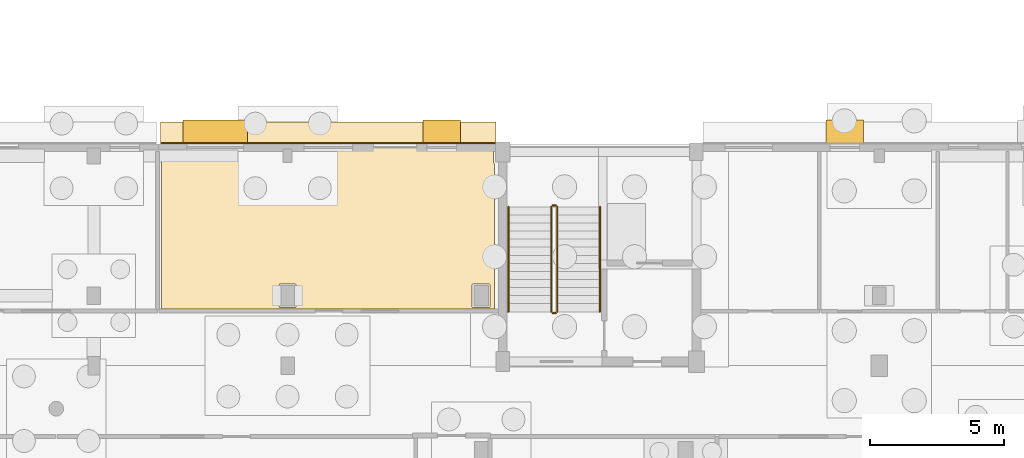
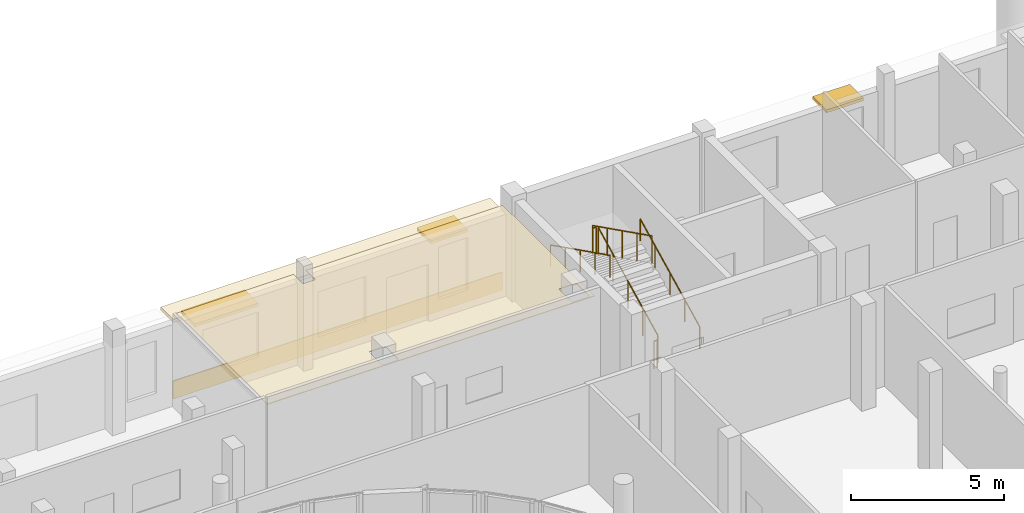
# One storey, part 87 of 93: 6 railings, 3 coverings, 3 shading devices.
"""IFC4 building model written with IfcOpenShell, lengths in metres."""

import ifcopenshell
import ifcopenshell.guid

model = None  # the IFC model being written
_history = None  # IfcOwnerHistory: only IFC2X3 demands one
_inside = {}  # id of a spatial element -> (the spatial element, [elements in it])
_under = {}  # id of a project, library or spatial element -> (it, [spatial elements below it])
_declared = {}  # id of a project -> (the project, [libraries it declares])
_typed = {}  # id of a type object -> (the type object, [elements of that type])
_made_of = {}  # id of a material, layer set ... -> (it, [elements and type objects made of it])


def new_model(schema):
    """Start an empty IFC model of exactly this schema.

    Asked for "IFC4X3", IfcOpenShell would pick the latest addendum, in which some entities
    have other attributes; the version numbers below select the first issue.
    IFC2X3 requires an IfcOwnerHistory on every rooted entity: one is made here for all.
    """
    global model, _history
    if schema == "IFC4X3":
        model = ifcopenshell.file(schema_version=(4, 3, 0, 0))
    else:
        model = ifcopenshell.file(schema=schema)
    _inside.clear()
    _under.clear()
    _declared.clear()
    _typed.clear()
    _made_of.clear()
    _history = None
    if model.schema == "IFC2X3":
        org = make("IfcOrganization", Name="unknown")
        user = make(
            "IfcPersonAndOrganization",
            ThePerson=make("IfcPerson", FamilyName="unknown"),
            TheOrganization=org,
        )
        app = make(
            "IfcApplication",
            ApplicationDeveloper=org,
            Version="unknown",
            ApplicationFullName="unknown",
            ApplicationIdentifier="unknown",
        )
        _history = make(
            "IfcOwnerHistory",
            OwningUser=user,
            OwningApplication=app,
            ChangeAction="ADDED",
            CreationDate=0,
        )
    return model


def make(cls, **values):
    """One entity of the class cls with the attributes given. An attribute that is None is left unset."""
    return model.create_entity(
        cls, **{name: value for name, value in values.items() if value is not None}
    )


def rooted(cls, **values):
    """An entity with a GlobalId (a new one), such as an element, a storey or a relation."""
    return make(cls, GlobalId=ifcopenshell.guid.new(), OwnerHistory=_history, **values)


def si_unit(unit_type, name, prefix=None):
    """IfcSIUnit, for example si_unit("LENGTHUNIT", "METRE", prefix="MILLI")."""
    return make("IfcSIUnit", UnitType=unit_type, Prefix=prefix, Name=name)


def assignment(units):
    """IfcUnitAssignment: the units of a project."""
    return None if units is None else make("IfcUnitAssignment", Units=units)


def point(xyz):
    """IfcCartesianPoint."""
    return None if xyz is None else make("IfcCartesianPoint", Coordinates=xyz)


def direction(xyz):
    """IfcDirection."""
    return None if xyz is None else make("IfcDirection", DirectionRatios=xyz)


def frame(location, z_axis=None, x_axis=None):
    """IfcAxis2Placement3D, a coordinate frame: its origin and axes. An axis left out is left unset."""
    return make(
        "IfcAxis2Placement3D",
        Location=point(location),
        Axis=direction(z_axis),
        RefDirection=direction(x_axis),
    )


def frame_2d(location, x_axis=None):
    """IfcAxis2Placement2D, a coordinate frame in the plane: its origin and x axis."""
    return make(
        "IfcAxis2Placement2D", Location=point(location), RefDirection=direction(x_axis)
    )


def origin():
    """The frame at (0, 0, 0) with its axes left unset."""
    return frame((0.0, 0.0, 0.0))


def origin_2d():
    """The frame at (0, 0) in the plane with its x axis left unset."""
    return frame_2d((0.0, 0.0))


def place(relative_to, where):
    """IfcLocalPlacement: puts the frame where relative to a parent placement (None: the world)."""
    return make(
        "IfcLocalPlacement", PlacementRelTo=relative_to, RelativePlacement=where
    )


def context(
    kind, dimensions, precision=None, world=None, true_north=None, identifier=None
):
    """IfcGeometricRepresentationContext, for example the 3D "Model" context."""
    return make(
        "IfcGeometricRepresentationContext",
        ContextIdentifier=identifier,
        ContextType=kind,
        CoordinateSpaceDimension=dimensions,
        Precision=precision,
        WorldCoordinateSystem=world,
        TrueNorth=true_north,
    )


def subcontext(parent, identifier, kind, view, scale=None):
    """IfcGeometricRepresentationSubContext, for example "Body" below "Model"."""
    return make(
        "IfcGeometricRepresentationSubContext",
        ContextIdentifier=identifier,
        ContextType=kind,
        ParentContext=parent,
        TargetScale=scale,
        TargetView=view,
    )


def project(units=None, contexts=None):
    """IfcProject with its units and contexts."""
    return rooted(
        "IfcProject",
        Name="project",
        RepresentationContexts=contexts,
        UnitsInContext=assignment(units),
    )


def spatial(cls, under=None, at=None, **own):
    """A site, building, storey or space (cls), placed at a placement, below another one or the project."""
    s = rooted(cls, ObjectPlacement=at, **own)
    if under is not None:
        _under.setdefault(under.id(), (under, []))[1].append(s)
    return s


def polyline(points):
    """IfcPolyline through the points."""
    return make("IfcPolyline", Points=[point(p) for p in points])


def profile(cls, at=None, kind="AREA", **sizes):
    """A parametric profile (cls). Its sizes go by their IFC names, for example OverallWidth=200.0."""
    return make(cls, ProfileType=kind, Position=at, **sizes)


def rectangle(**sizes):
    """IfcRectangleProfileDef."""
    return profile("IfcRectangleProfileDef", **sizes)


def circle(**sizes):
    """IfcCircleProfileDef."""
    return profile("IfcCircleProfileDef", **sizes)


def outline(outer, holes=None, kind="AREA"):
    """IfcArbitraryClosedProfileDef: a profile drawn as a closed curve; with holes, ...WithVoids."""
    if holes is None:
        return make("IfcArbitraryClosedProfileDef", ProfileType=kind, OuterCurve=outer)
    return make(
        "IfcArbitraryProfileDefWithVoids",
        ProfileType=kind,
        OuterCurve=outer,
        InnerCurves=holes,
    )


def extrude(swept, where, along, depth):
    """IfcExtrudedAreaSolid: the profile swept, set in the frame where, extruded along a direction by depth."""
    return make(
        "IfcExtrudedAreaSolid",
        SweptArea=swept,
        Position=where,
        ExtrudedDirection=direction(along),
        Depth=depth,
    )


def shape(context_of_items, identifier, shape_type, items):
    """IfcShapeRepresentation: the items that make up one representation, for example the "Body"."""
    return make(
        "IfcShapeRepresentation",
        ContextOfItems=context_of_items,
        RepresentationIdentifier=identifier,
        RepresentationType=shape_type,
        Items=items,
    )


def material(Name=None, Category=None):
    """IfcMaterial."""
    return make("IfcMaterial", Name=Name, Category=Category)


def layer(
    of_material, thickness, ventilated=None, Name=None, Category=None, Priority=None
):
    """IfcMaterialLayer: one layer of a wall or slab, of a material (None: an air gap)."""
    return make(
        "IfcMaterialLayer",
        Material=of_material,
        LayerThickness=thickness,
        IsVentilated=ventilated,
        Name=Name,
        Category=Category,
        Priority=Priority,
    )


def layer_set(layers, Name=None):
    """IfcMaterialLayerSet."""
    return make("IfcMaterialLayerSet", MaterialLayers=layers, LayerSetName=Name)


def made_of(thing, what):
    """Note that an element or type object is made of a material, layer set ...; save() writes the relation."""
    if what is not None:
        _made_of.setdefault(what.id(), (what, []))[1].append(thing)
    return thing


def type_object(cls, material=None, **own):
    """A type object (cls), such as IfcWallType, which elements share."""
    return made_of(rooted(cls, **own), material)


def element(
    cls,
    number,
    at=None,
    inside=None,
    cuts=None,
    type_object=None,
    material=None,
    context=None,
    identifier="Body",
    shape_type=None,
    held_by="IfcProductDefinitionShape",
    body=None,
    shapes=None,
    **own,
):
    """One element of the class cls, such as IfcWall. Its Tag is "e" and its number.

    at: its placement. inside: the storey or other place that contains it. cuts: it is an
    opening in that element (IfcRelVoidsElement). A single representation is given by context,
    identifier, shape_type and body (its items); several are given by shapes. held_by: the class
    of the entity that holds the representations. save() writes the other relations.
    """
    e = rooted(cls, Tag="e%d" % number, ObjectPlacement=at, **own)
    if body is not None:
        shapes = [shape(context, identifier, shape_type, body)]
    if shapes is not None:
        e.Representation = make(held_by, Representations=shapes)
    if inside is not None:
        _inside.setdefault(inside.id(), (inside, []))[1].append(e)
    if cuts is not None:
        rooted(
            "IfcRelVoidsElement", RelatingBuildingElement=cuts, RelatedOpeningElement=e
        )
    if type_object is not None:
        _typed.setdefault(type_object.id(), (type_object, []))[1].append(e)
    return made_of(e, material)


def aggregate(whole, parts):
    """IfcRelAggregates: a whole, such as a stair, and the parts it consists of."""
    return rooted("IfcRelAggregates", RelatingObject=whole, RelatedObjects=parts)


def save(model, path):
    """Write the relations noted so far, then the file.

    IfcRelAggregates (storeys below a building ...), IfcRelContainedInSpatialStructure (elements
    in a storey), IfcRelDefinesByType, IfcRelAssociatesMaterial and IfcRelDeclares: one each for
    every whole, place, type object, material and project.
    """
    for whole, parts in _under.values():
        aggregate(whole, parts)
    for where, things in _inside.values():
        rooted(
            "IfcRelContainedInSpatialStructure",
            RelatedElements=things,
            RelatingStructure=where,
        )
    for kind, things in _typed.values():
        rooted("IfcRelDefinesByType", RelatedObjects=things, RelatingType=kind)
    for what, things in _made_of.values():
        rooted("IfcRelAssociatesMaterial", RelatedObjects=things, RelatingMaterial=what)
    for by, libraries in _declared.values():
        rooted("IfcRelDeclares", RelatingContext=by, RelatedDefinitions=libraries)
    model.write(path)


model = new_model("IFC4")

# Units and contexts
model_context = context("Model", 3, precision=1e-05, world=origin(), true_north=direction((0.0, 1.0)))
body_context = subcontext(model_context, "Body", "Model", "MODEL_VIEW")
ifc_project = project(units=[si_unit("LENGTHUNIT", "METRE"), si_unit("AREAUNIT", "SQUARE_METRE"), si_unit("VOLUMEUNIT", "CUBIC_METRE"), si_unit("PLANEANGLEUNIT", "RADIAN"), si_unit("MASSUNIT", "GRAM", prefix="KILO")], contexts=[model_context])

# Site, building, storey
site_placement = place(None, origin())
site = spatial("IfcSite", under=ifc_project, at=site_placement, CompositionType="ELEMENT")
building_placement = place(site_placement, origin())
building = spatial("IfcBuilding", under=site, at=building_placement, Name="Kelanivale Promenade Academy", CompositionType="ELEMENT")
storey_placement = place(building_placement, origin())
storey = spatial("IfcBuildingStorey", under=building, at=storey_placement, Name="L00", CompositionType="ELEMENT", Elevation=0.0)

# Coverings
ifc_material_1 = material(Name="Warm ivory Art Deco stucco frieze band 40 mm", Category="masonry")
ifc_layer_1 = layer(ifc_material_1, 0.0400390625)
ifc_layer_set_1 = layer_set([ifc_layer_1], Name="Warm ivory Art Deco stucco frieze band 40 mm")
covering_type_1 = type_object("IfcCoveringType", Name="COV-CLD2 Warm ivory Art Deco stucco frieze ba", PredefinedType="CLADDING", material=ifc_layer_set_1)
covering_1_placement = place(storey_placement, frame((73.51708984375, 80.25, 3.115234375), z_axis=(0.0, 0.0, 1.0), x_axis=(-1.0, 0.0, 0.0)))
element("IfcCovering", 1, at=covering_1_placement, inside=storey, type_object=covering_type_1, Name="Art Deco projecting 820 mm streamline sunshade eyebrow ledge", PredefinedType="CLADDING", context=body_context, shape_type="SweptSolid", body=[
    extrude(rectangle(XDim=12.47509765625, YDim=0.820068359375, at=origin_2d()), origin(), (0.0, 0.0, 1.0), 0.139892578125),
])
covering_2_placement = place(storey_placement, frame((73.51708984375, 79.864990234375, 0.06005859375), z_axis=(0.0, 0.0, 1.0), x_axis=(-1.0, 0.0, 0.0)))
element("IfcCovering", 2, at=covering_2_placement, inside=storey, type_object=covering_type_1, Name="Art Deco ivory stucco sill frieze band", PredefinedType="CLADDING", context=body_context, shape_type="SweptSolid", body=[
    extrude(rectangle(XDim=12.47509765625, YDim=0.0400390625, at=origin_2d()), origin(), (0.0, 0.0, 1.0), 0.719970703125),
])
ifc_material_2 = material(Name="Acoustic mineral-fibre ceiling tile 25 mm", Category="gypsum")
ifc_layer_2 = layer(ifc_material_2, 0.02490234375)
ifc_layer_set_2 = layer_set([ifc_layer_2], Name="Acoustic mineral-fibre ceiling tile 25 mm")
covering_type_2 = type_object("IfcCoveringType", Name="COV-CLG1 Acoustic mineral-fibre ceiling tile ", PredefinedType="CEILING", material=ifc_layer_set_2)
covering_3_placement = place(storey_placement, frame((0.0, 0.0, 3.550048828125)))
element("IfcCovering", 3, at=covering_3_placement, inside=storey, type_object=covering_type_2, Name="Junior Classroom North 2 acoustic suspended ceiling", PredefinedType="CEILING", context=body_context, shape_type="SweptSolid", body=[
    extrude(outline(polyline([(79.68994140625, 73.7099609375), (79.68994140625, 79.117919921875), (79.68994140625, 79.117919921875), (79.68603515625, 79.1201171875), (79.68310546875, 79.1220703125), (79.679931640625, 79.1240234375), (79.677001953125, 79.126953125), (79.674072265625, 79.1298828125), (79.672119140625, 79.133056640625), (79.669921875, 79.135986328125), (79.66796875, 79.139892578125), (79.6669921875, 79.14306640625), (79.666015625, 79.14697265625), (79.6650390625, 79.15087890625), (79.6650390625, 79.155029296875), (79.6650390625, 79.699951171875), (72.220947265625, 79.699951171875), (72.222900390625, 79.697998046875), (72.22607421875, 79.695068359375), (72.22802734375, 79.69189453125), (72.22998046875, 79.68896484375), (72.23193359375, 79.68505859375), (72.23291015625, 79.681884765625), (72.23388671875, 79.677978515625), (72.235107421875, 79.674072265625), (72.235107421875, 79.669921875), (72.235107421875, 79.1298828125), (72.235107421875, 79.1259765625), (72.23388671875, 79.1220703125), (72.23291015625, 79.117919921875), (72.23193359375, 79.114990234375), (72.22998046875, 79.111083984375), (72.22802734375, 79.10791015625), (72.22607421875, 79.10498046875), (72.222900390625, 79.10205078125), (72.219970703125, 79.09912109375), (72.217041015625, 79.096923828125), (72.214111328125, 79.094970703125), (72.2099609375, 79.093017578125), (72.20703125, 79.092041015625), (72.202880859375, 79.091064453125), (72.198974609375, 79.090087890625), (72.195068359375, 79.090087890625), (71.804931640625, 79.090087890625), (71.801025390625, 79.090087890625), (71.797119140625, 79.091064453125), (71.79296875, 79.092041015625), (71.7900390625, 79.093017578125), (71.785888671875, 79.094970703125), (71.782958984375, 79.096923828125), (71.780029296875, 79.09912109375), (71.777099609375, 79.10205078125), (71.77392578125, 79.10498046875), (71.77197265625, 79.10791015625), (71.77001953125, 79.111083984375), (71.76806640625, 79.114990234375), (71.76708984375, 79.117919921875), (71.76611328125, 79.1220703125), (71.764892578125, 79.1259765625), (71.764892578125, 79.1298828125), (71.764892578125, 79.669921875), (71.764892578125, 79.674072265625), (71.76611328125, 79.677978515625), (71.76708984375, 79.681884765625), (71.76806640625, 79.68505859375), (71.77001953125, 79.68896484375), (71.77197265625, 79.69189453125), (71.77392578125, 79.695068359375), (71.777099609375, 79.697998046875), (71.779052734375, 79.699951171875), (67.31005859375, 79.699951171875), (67.31005859375, 73.7099609375), (79.68994140625, 73.7099609375)]), holes=[polyline([(78.905029296875, 73.764892578125), (78.90087890625, 73.764892578125), (78.89697265625, 73.76611328125), (78.89306640625, 73.76708984375), (78.889892578125, 73.76806640625), (78.885986328125, 73.77001953125), (78.883056640625, 73.77197265625), (78.8798828125, 73.77392578125), (78.876953125, 73.777099609375), (78.8740234375, 73.780029296875), (78.8720703125, 73.782958984375), (78.8701171875, 73.785888671875), (78.867919921875, 73.7900390625), (78.866943359375, 73.79296875), (78.865966796875, 73.797119140625), (78.864990234375, 73.801025390625), (78.864990234375, 73.804931640625), (78.864990234375, 74.594970703125), (78.864990234375, 74.59912109375), (78.865966796875, 74.60302734375), (78.866943359375, 74.60693359375), (78.867919921875, 74.610107421875), (78.8701171875, 74.614013671875), (78.8720703125, 74.616943359375), (78.8740234375, 74.6201171875), (78.876953125, 74.623046875), (78.8798828125, 74.6259765625), (78.883056640625, 74.6279296875), (78.885986328125, 74.6298828125), (78.889892578125, 74.632080078125), (78.89306640625, 74.633056640625), (78.89697265625, 74.634033203125), (78.90087890625, 74.635009765625), (78.905029296875, 74.635009765625), (79.4951171875, 74.635009765625), (79.4990234375, 74.635009765625), (79.5029296875, 74.634033203125), (79.507080078125, 74.633056640625), (79.510009765625, 74.632080078125), (79.513916015625, 74.6298828125), (79.51708984375, 74.6279296875), (79.52001953125, 74.6259765625), (79.52294921875, 74.623046875), (79.52587890625, 74.6201171875), (79.528076171875, 74.616943359375), (79.530029296875, 74.614013671875), (79.531982421875, 74.610107421875), (79.532958984375, 74.60693359375), (79.533935546875, 74.60302734375), (79.534912109375, 74.59912109375), (79.534912109375, 74.594970703125), (79.534912109375, 73.804931640625), (79.534912109375, 73.801025390625), (79.533935546875, 73.797119140625), (79.532958984375, 73.79296875), (79.531982421875, 73.7900390625), (79.530029296875, 73.785888671875), (79.528076171875, 73.782958984375), (79.52587890625, 73.780029296875), (79.52294921875, 73.777099609375), (79.52001953125, 73.77392578125), (79.51708984375, 73.77197265625), (79.513916015625, 73.77001953125), (79.510009765625, 73.76806640625), (79.507080078125, 73.76708984375), (79.5029296875, 73.76611328125), (79.4990234375, 73.764892578125), (79.4951171875, 73.764892578125), (78.905029296875, 73.764892578125)]), polyline([(72.31005859375, 73.804931640625), (72.31005859375, 73.801025390625), (72.30908203125, 73.797119140625), (72.30810546875, 73.79296875), (72.306884765625, 73.7900390625), (72.304931640625, 73.785888671875), (72.302978515625, 73.782958984375), (72.301025390625, 73.780029296875), (72.298095703125, 73.777099609375), (72.294921875, 73.77392578125), (72.2919921875, 73.77197265625), (72.2890625, 73.77001953125), (72.284912109375, 73.76806640625), (72.281982421875, 73.76708984375), (72.278076171875, 73.76611328125), (72.27392578125, 73.764892578125), (72.27001953125, 73.764892578125), (71.72998046875, 73.764892578125), (71.72607421875, 73.764892578125), (71.721923828125, 73.76611328125), (71.718017578125, 73.76708984375), (71.715087890625, 73.76806640625), (71.7109375, 73.77001953125), (71.7080078125, 73.77197265625), (71.705078125, 73.77392578125), (71.701904296875, 73.777099609375), (71.698974609375, 73.780029296875), (71.697021484375, 73.782958984375), (71.695068359375, 73.785888671875), (71.693115234375, 73.7900390625), (71.69189453125, 73.79296875), (71.69091796875, 73.797119140625), (71.68994140625, 73.801025390625), (71.68994140625, 73.804931640625), (71.68994140625, 74.594970703125), (71.68994140625, 74.59912109375), (71.69091796875, 74.60302734375), (71.69189453125, 74.60693359375), (71.693115234375, 74.610107421875), (71.695068359375, 74.614013671875), (71.697021484375, 74.616943359375), (71.698974609375, 74.6201171875), (71.701904296875, 74.623046875), (71.705078125, 74.6259765625), (71.7080078125, 74.6279296875), (71.7109375, 74.6298828125), (71.715087890625, 74.632080078125), (71.718017578125, 74.633056640625), (71.721923828125, 74.634033203125), (71.72607421875, 74.635009765625), (71.72998046875, 74.635009765625), (72.27001953125, 74.635009765625), (72.27392578125, 74.635009765625), (72.278076171875, 74.634033203125), (72.281982421875, 74.633056640625), (72.284912109375, 74.632080078125), (72.2890625, 74.6298828125), (72.2919921875, 74.6279296875), (72.294921875, 74.6259765625), (72.298095703125, 74.623046875), (72.301025390625, 74.6201171875), (72.302978515625, 74.616943359375), (72.304931640625, 74.614013671875), (72.306884765625, 74.610107421875), (72.30810546875, 74.60693359375), (72.30908203125, 74.60302734375), (72.31005859375, 74.59912109375), (72.31005859375, 74.594970703125), (72.31005859375, 73.804931640625)])]), origin(), (0.0, 0.0, 1.0), 0.02490234375),
])

# Railings
ifc_material_3 = material(Name="Brushed stainless steel grade 316", Category="steel")
railing_type_1 = type_object("IfcRailingType", Name="GR-01 Stair Guard 1100mm", PredefinedType="BALUSTRADE", material=ifc_material_3)
railing_1_placement = place(storey_placement, frame((82.02490234375, 73.60498046875, 0.14990234375)))
element("IfcRailing", 4, at=railing_1_placement, inside=storey, type_object=railing_type_1, Name="L00 ST-02 stair guard 1", PredefinedType="BALUSTRADE", context=body_context, shape_type="SweptSolid", body=[
    extrude(circle(Radius=0.02392578125, at=origin_2d()), frame((0.0, 0.0, 1.09619140625), z_axis=(0.0, 0.894404793364, 0.447258387967), x_axis=(-1.0, 0.0, 0.0)), (0.0, 0.0, 1.0), 4.3603515625),
    extrude(circle(Radius=0.02099609375, at=origin_2d()), origin(), (0.0, 0.0, 1.0), 1.072021484375),
    extrude(circle(Radius=0.02099609375, at=origin_2d()), frame((0.0, 0.97509765625, 0.487548828125)), (0.0, 0.0, 1.0), 1.072021484375),
    extrude(circle(Radius=0.02099609375, at=origin_2d()), frame((0.0, 1.949951171875, 0.97509765625)), (0.0, 0.0, 1.0), 1.072021484375),
    extrude(circle(Radius=0.02099609375, at=origin_2d()), frame((0.0, 2.9248046875, 1.462646484375)), (0.0, 0.0, 1.0), 1.072021484375),
    extrude(circle(Radius=0.02099609375, at=origin_2d()), frame((0.0, 3.89990234375, 1.9501953125)), (0.0, 0.0, 1.0), 1.072021484375),
])
railing_2_placement = place(storey_placement, frame((81.97509765625, 77.554931640625, 2.10009765625)))
element("IfcRailing", 5, at=railing_2_placement, inside=storey, type_object=railing_type_1, Name="L00 ST-02 stair guard 2", PredefinedType="BALUSTRADE", context=body_context, shape_type="SweptSolid", body=[
    extrude(circle(Radius=0.02392578125, at=origin_2d()), frame((0.0, 0.0, 1.09619140625), z_axis=(-1.0, 0.0, 0.0), x_axis=(0.0, -1.0, 0.0)), (0.0, 0.0, 1.0), 0.1201171875),
    extrude(circle(Radius=0.02099609375, at=origin_2d()), origin(), (0.0, 0.0, 1.0), 1.072021484375),
    extrude(circle(Radius=0.02099609375, at=origin_2d()), frame((-0.1201171875, 0.0, 0.0)), (0.0, 0.0, 1.0), 1.072021484375),
])
railing_3_placement = place(storey_placement, frame((81.804931640625, 77.5048828125, 2.25)))
element("IfcRailing", 6, at=railing_3_placement, inside=storey, type_object=railing_type_1, Name="L00 ST-02 stair guard 3", PredefinedType="BALUSTRADE", context=body_context, shape_type="SweptSolid", body=[
    extrude(circle(Radius=0.02392578125, at=origin_2d()), frame((0.0, 0.0, 1.09619140625), z_axis=(0.0, -0.894427191, 0.4472135955), x_axis=(1.0, 0.0, 0.0)), (0.0, 0.0, 1.0), 4.360107421875),
    extrude(circle(Radius=0.02099609375, at=origin_2d()), origin(), (0.0, 0.0, 1.0), 1.072021484375),
    extrude(circle(Radius=0.02099609375, at=origin_2d()), frame((0.0, -0.97509765625, 0.487548828125)), (0.0, 0.0, 1.0), 1.072021484375),
    extrude(circle(Radius=0.02099609375, at=origin_2d()), frame((0.0, -1.949951171875, 0.97509765625)), (0.0, 0.0, 1.0), 1.072021484375),
    extrude(circle(Radius=0.02099609375, at=origin_2d()), frame((0.0, -2.9248046875, 1.46240234375)), (0.0, 0.0, 1.0), 1.072021484375),
    extrude(circle(Radius=0.02099609375, at=origin_2d()), frame((0.0, -3.89990234375, 1.949951171875)), (0.0, 0.0, 1.0), 1.072021484375),
])
railing_4_placement = place(storey_placement, frame((81.97509765625, 73.554931640625, 0.0)))
element("IfcRailing", 7, at=railing_4_placement, inside=storey, type_object=railing_type_1, Name="L00 ST-02 stair guard 4", PredefinedType="BALUSTRADE", context=body_context, shape_type="SweptSolid", body=[
    extrude(circle(Radius=0.02392578125, at=origin_2d()), frame((0.0, 0.0, 1.09619140625), z_axis=(-1.0, 0.0, 0.0), x_axis=(0.0, -1.0, 0.0)), (0.0, 0.0, 1.0), 0.1201171875),
    extrude(circle(Radius=0.02099609375, at=origin_2d()), origin(), (0.0, 0.0, 1.0), 1.072021484375),
    extrude(circle(Radius=0.02099609375, at=origin_2d()), frame((-0.1201171875, 0.0, 0.0)), (0.0, 0.0, 1.0), 1.072021484375),
])
railing_type_2 = type_object("IfcRailingType", Name="HR-01 Pitch Handrail 900mm", PredefinedType="HANDRAIL", material=ifc_material_3)
railing_5_placement = place(storey_placement, frame((83.614990234375, 73.60498046875, 0.14990234375)))
element("IfcRailing", 8, at=railing_5_placement, inside=storey, type_object=railing_type_2, Name="L00 ST-02 stair handrail 1", PredefinedType="HANDRAIL", context=body_context, shape_type="SweptSolid", body=[
    extrude(circle(Radius=0.02392578125, at=origin_2d()), frame((0.0, 0.0, 0.8759765625), z_axis=(0.0, 0.894404793364, 0.447258387967), x_axis=(-1.0, 0.0, 0.0)), (0.0, 0.0, 1.0), 4.3603515625),
    extrude(circle(Radius=0.02099609375, at=origin_2d()), origin(), (0.0, 0.0, 1.0), 0.851806640625),
    extrude(circle(Radius=0.02099609375, at=origin_2d()), frame((0.0, 0.97509765625, 0.487548828125)), (0.0, 0.0, 1.0), 0.851806640625),
    extrude(circle(Radius=0.02099609375, at=origin_2d()), frame((0.0, 1.949951171875, 0.97509765625)), (0.0, 0.0, 1.0), 0.851806640625),
    extrude(circle(Radius=0.02099609375, at=origin_2d()), frame((0.0, 2.9248046875, 1.462646484375)), (0.0, 0.0, 1.0), 0.851806640625),
    extrude(circle(Radius=0.02099609375, at=origin_2d()), frame((0.0, 3.89990234375, 1.9501953125)), (0.0, 0.0, 1.0), 0.851806640625),
])
railing_6_placement = place(storey_placement, frame((80.215087890625, 77.5048828125, 2.25)))
element("IfcRailing", 9, at=railing_6_placement, inside=storey, type_object=railing_type_2, Name="L00 ST-02 stair handrail 2", PredefinedType="HANDRAIL", context=body_context, shape_type="SweptSolid", body=[
    extrude(circle(Radius=0.02392578125, at=origin_2d()), frame((0.0, 0.0, 0.8759765625), z_axis=(0.0, -0.894427191, 0.4472135955), x_axis=(1.0, 0.0, 0.0)), (0.0, 0.0, 1.0), 4.360107421875),
    extrude(circle(Radius=0.02099609375, at=origin_2d()), origin(), (0.0, 0.0, 1.0), 0.851806640625),
    extrude(circle(Radius=0.02099609375, at=origin_2d()), frame((0.0, -0.97509765625, 0.487548828125)), (0.0, 0.0, 1.0), 0.851806640625),
    extrude(circle(Radius=0.02099609375, at=origin_2d()), frame((0.0, -1.949951171875, 0.97509765625)), (0.0, 0.0, 1.0), 0.851806640625),
    extrude(circle(Radius=0.02099609375, at=origin_2d()), frame((0.0, -2.9248046875, 1.46240234375)), (0.0, 0.0, 1.0), 0.851806640625),
    extrude(circle(Radius=0.02099609375, at=origin_2d()), frame((0.0, -3.89990234375, 1.949951171875)), (0.0, 0.0, 1.0), 0.851806640625),
])

# Shading devices
ifc_material_4 = material(Name="Precast concrete C40/50", Category="concrete")
ifc_layer_3 = layer(ifc_material_4, 0.1201171875)
ifc_layer_set_3 = layer_set([ifc_layer_3], Name="Precast concrete C40/50")
shading_device_type = type_object("IfcShadingDeviceType", Name="SHD-01 Art Deco Sunshade Eyebrow 900mm", PredefinedType="USERDEFINED", material=ifc_layer_set_3)
for number, where, z_axis, x_axis, name in (
    (10, (92.7119140625, 80.2900390625, 2.85986328125), (0.0, 0.0, 1.0), (-1.0, 0.0, 0.0), "Art Deco 900 mm precast chajja window sunshade"),
    (11, (77.72900390625, 80.2900390625, 2.85986328125), (0.0, 0.0, 1.0), (-1.0, 0.0, 0.0), "Art Deco 900 mm precast chajja window sunshade"),
):
    element("IfcShadingDevice", number, at=place(storey_placement, frame(where, z_axis=z_axis, x_axis=x_axis)), inside=storey, type_object=shading_device_type, Name=name, ObjectType="SUNSHADE", PredefinedType="USERDEFINED", context=body_context, shape_type="SweptSolid", body=[
        extrude(rectangle(XDim=1.39990234375, YDim=0.89990234375, at=origin_2d()), origin(), (0.0, 0.0, 1.0), 0.1201171875),
    ])
shading_device_placement = place(storey_placement, frame((69.305908203125, 80.2900390625, 2.659912109375), z_axis=(0.0, 0.0, 1.0), x_axis=(-1.0, 0.0, 0.0)))
element("IfcShadingDevice", 12, at=shading_device_placement, inside=storey, type_object=shading_device_type, Name="Art Deco 900 mm precast chajja window sunshade", ObjectType="SUNSHADE", PredefinedType="USERDEFINED", context=body_context, shape_type="SweptSolid", body=[
    extrude(rectangle(XDim=2.39990234375, YDim=0.89990234375, at=origin_2d()), origin(), (0.0, 0.0, 1.0), 0.1201171875),
])

save(model, "model.ifc")
